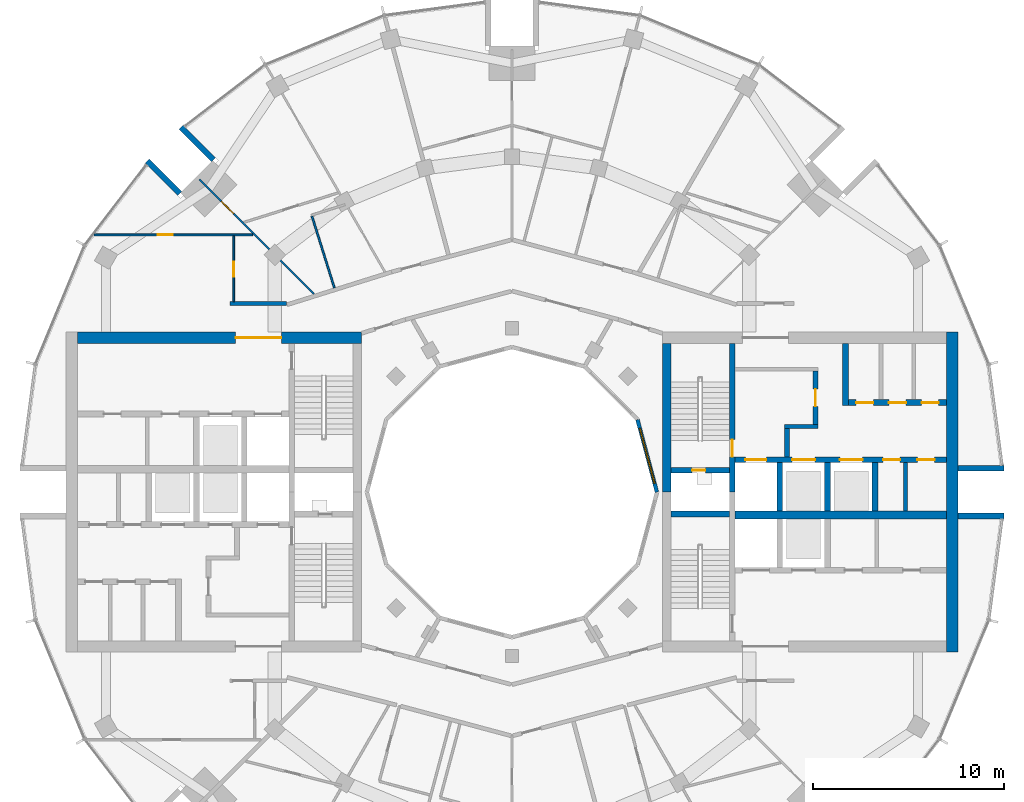
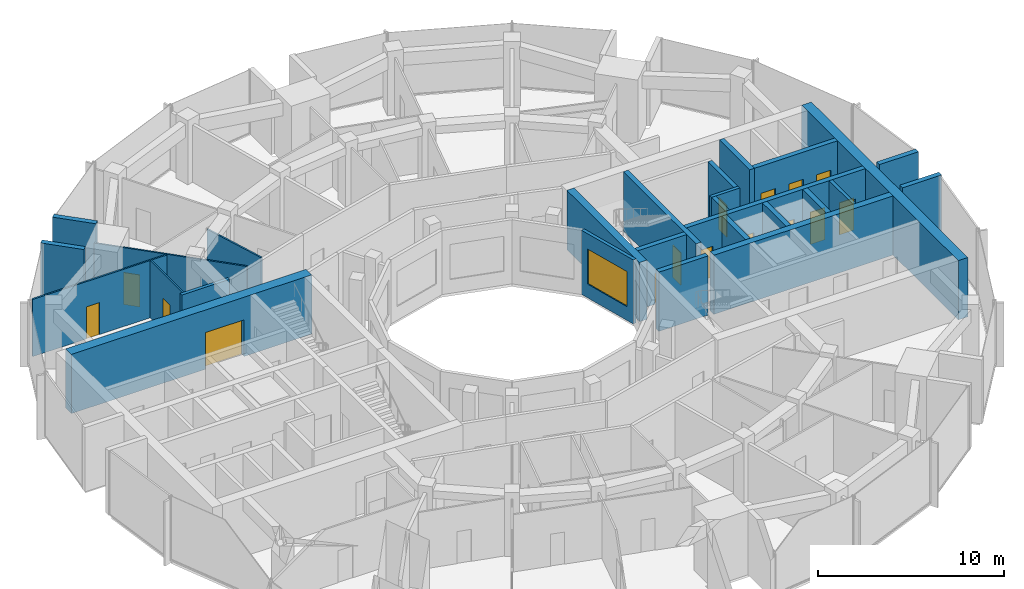
# One storey, part 11 of 15: 27 walls, 15 doors, 1 window, 16 openings.
"""IFC4 building model written with IfcOpenShell, lengths in metres."""

from ifc_helpers import new_model, si_unit, direction, frame, frame_2d, origin, place, context, subcontext, project, spatial, rectangle, extrude, material, layer, layer_set, type_object, element, fill, save


model = new_model("IFC4")

# Units and contexts
model_context = context("Model", 3, precision=1e-05, world=origin(), true_north=direction((0.0, 1.0)))
body_context = subcontext(model_context, "Body", "Model", "MODEL_VIEW")
ifc_project = project(units=[si_unit("LENGTHUNIT", "METRE"), si_unit("AREAUNIT", "SQUARE_METRE"), si_unit("VOLUMEUNIT", "CUBIC_METRE"), si_unit("PLANEANGLEUNIT", "RADIAN"), si_unit("MASSUNIT", "GRAM", prefix="KILO")], contexts=[model_context])

# Site, building, storey
site_placement = place(None, origin())
site = spatial("IfcSite", under=ifc_project, at=site_placement, CompositionType="ELEMENT")
building_placement = place(site_placement, origin())
building = spatial("IfcBuilding", under=site, at=building_placement, Name="Torre Brocal", CompositionType="ELEMENT")
storey_placement = place(building_placement, frame((0.0, 0.0, 249.89990234375)))
storey = spatial("IfcBuildingStorey", under=building, at=storey_placement, Name="L57", CompositionType="ELEMENT", Elevation=249.89990234375)

# Walls
ifc_material_1 = material(Name="Masonry block", Category="masonry")
ifc_layer_1 = layer(ifc_material_1, 0.199951171875)
ifc_layer_set_1 = layer_set([ifc_layer_1], Name="Masonry block")
wall_type_1 = type_object("IfcWallType", Name="CORE PARTITION 200", PredefinedType="PARTITIONING", material=ifc_layer_set_1)
wall_1_placement = place(storey_placement, frame((100.639892578125, 74.0, 0.0), z_axis=(0.0, 0.0, 1.0), x_axis=(0.0, 1.0, 0.0)))
element("IfcWall", 1, at=wall_1_placement, inside=storey, type_object=wall_type_1, Name="Wall CP200", PredefinedType="PARTITIONING", context=body_context, shape_type="SweptSolid", body=[
    extrude(rectangle(XDim=2.550048828125, YDim=0.199951171875, at=frame_2d((1.27490234375, 0.0))), origin(), (0.0, 0.0, 1.0), 3.880126953125),
])
ifc_material_2 = material(Name="Concrete C60", Category="concrete")
ifc_layer_2 = layer(ifc_material_2, 0.199951171875)
ifc_layer_set_2 = layer_set([ifc_layer_2], Name="Concrete C60")
wall_type_2 = type_object("IfcWallType", Name="CORE WALL 200 C60", PredefinedType="SHEAR", material=ifc_layer_set_2)
wall_2_placement = place(storey_placement, frame((94.300048828125, 78.449951171875, 0.0), z_axis=(0.0, 0.0, 1.0), x_axis=(1.0, 0.0, 0.0)))
element("IfcWall", 2, at=wall_2_placement, inside=storey, type_object=wall_type_2, Name="Wall CW200-60", PredefinedType="SHEAR", context=body_context, shape_type="SweptSolid", body=[
    extrude(rectangle(XDim=1.75, YDim=0.199951171875, at=frame_2d((0.875, 0.0))), origin(), (0.0, 0.0, 1.0), 3.880126953125),
])

# Wall, opening, door
ifc_material_3 = material(Name="Concrete C60", Category="concrete")
ifc_layer_3 = layer(ifc_material_3, 0.25)
ifc_layer_set_3 = layer_set([ifc_layer_3], Name="Concrete C60")
wall_type_3 = type_object("IfcWallType", Name="CORE WALL 250 C60", PredefinedType="SHEAR", material=ifc_layer_set_3)
wall_3_placement = place(storey_placement, frame((95.925048828125, 78.550048828125, 0.0), z_axis=(0.0, 0.0, 1.0), x_axis=(0.0, 1.0, 0.0)))
wall_3 = element("IfcWall", 3, at=wall_3_placement, inside=storey, type_object=wall_type_3, Name="Wall CW250-60", PredefinedType="SHEAR", context=body_context, shape_type="SweptSolid", body=[
    extrude(rectangle(XDim=2.800048828125, YDim=0.25, at=frame_2d((1.39990234375, 0.0))), origin(), (0.0, 0.0, 1.0), 3.880126953125),
])
opening_1_placement = place(wall_3_placement, frame((0.949951171875, 0.0, 0.0)))
opening_1 = element("IfcOpeningElement", 4, at=opening_1_placement, cuts=wall_3, Name="Opening E-D08", PredefinedType="OPENING", context=body_context, shape_type="SweptSolid", body=[
    extrude(rectangle(XDim=0.89990234375, YDim=2.10009765625, at=frame_2d((0.449951171875, 1.050048828125))), frame((0.0, 0.135009765625, 0.0), z_axis=(0.0, -1.0, 0.0), x_axis=(1.0, 0.0, 0.0)), (0.0, 0.0, 1.0), 0.27001953125),
])
ifc_material_4 = material(Name="Steel A653", Category="steel")
door_type_1 = type_object("IfcDoorType", Name="LOBBY DOOR FD120 900X2100", OperationType="SINGLE_SWING_RIGHT", PredefinedType="DOOR", material=ifc_material_4)
door_1_placement = place(opening_1_placement, origin())
door_1 = element("IfcDoor", 5, at=door_1_placement, inside=storey, type_object=door_type_1, Name="Door E-D08", OperationType="SINGLE_SWING_LEFT", OverallHeight=2.10009765625, OverallWidth=0.89990234375, PredefinedType="DOOR", context=body_context, shape_type="SweptSolid", body=[
    extrude(rectangle(XDim=0.89990234375, YDim=2.10009765625, at=frame_2d((0.449951171875, 1.050048828125))), frame((0.0, 0.02490234375, 0.0), z_axis=(0.0, -1.0, 0.0), x_axis=(1.0, 0.0, 0.0)), (0.0, 0.0, 1.0), 0.050048828125),
])
fill(opening_1, door_1)

# Wall
wall_4_placement = place(storey_placement, frame((94.425048828125, 76.85009765625, 0.0), z_axis=(0.0, 0.0, 1.0), x_axis=(0.0, 1.0, 0.0)))
element("IfcWall", 6, at=wall_4_placement, inside=storey, type_object=wall_type_3, Name="Wall CW250-60", PredefinedType="SHEAR", context=body_context, shape_type="SweptSolid", body=[
    extrude(rectangle(XDim=1.5, YDim=0.25, at=frame_2d((0.75, 0.0))), origin(), (0.0, 0.0, 1.0), 3.880126953125),
])

# Wall, opening, door
ifc_material_5 = material(Name="Concrete C60", Category="concrete")
ifc_layer_4 = layer(ifc_material_5, 0.300048828125)
ifc_layer_set_4 = layer_set([ifc_layer_4], Name="Concrete C60")
wall_type_4 = type_object("IfcWallType", Name="CORE WALL 300 C60", PredefinedType="SHEAR", material=ifc_layer_set_4)
wall_5_placement = place(storey_placement, frame((91.550048828125, 75.0, 0.0), z_axis=(0.0, 0.0, 1.0), x_axis=(0.0, 1.0, 0.0)))
wall_5 = element("IfcWall", 7, at=wall_5_placement, inside=storey, type_object=wall_type_4, Name="Wall CW300-60", PredefinedType="SHEAR", context=body_context, shape_type="SweptSolid", body=[
    extrude(rectangle(XDim=7.800048828125, YDim=0.300048828125, at=frame_2d((3.89990234375, 0.0))), origin(), (0.0, 0.0, 1.0), 3.880126953125),
])
opening_2_placement = place(wall_5_placement, frame((1.85009765625, 0.0, 0.0)))
opening_2 = element("IfcOpeningElement", 8, at=opening_2_placement, cuts=wall_5, Name="Opening E-D02", PredefinedType="OPENING", context=body_context, shape_type="SweptSolid", body=[
    extrude(rectangle(XDim=0.89990234375, YDim=2.10009765625, at=frame_2d((0.449951171875, 1.050048828125))), frame((0.0, 0.159912109375, 0.0), z_axis=(0.0, -1.0, 0.0), x_axis=(1.0, 0.0, 0.0)), (0.0, 0.0, 1.0), 0.320068359375),
])
ifc_material_6 = material(Name="Steel A653", Category="steel")
door_type_2 = type_object("IfcDoorType", Name="STAIR DOOR FD120 900X2100", OperationType="SINGLE_SWING_RIGHT", PredefinedType="DOOR", material=ifc_material_6)
door_2_placement = place(opening_2_placement, origin())
door_2 = element("IfcDoor", 9, at=door_2_placement, inside=storey, type_object=door_type_2, Name="Door E-D02", OperationType="SINGLE_SWING_LEFT", OverallHeight=2.10009765625, OverallWidth=0.89990234375, PredefinedType="DOOR", context=body_context, shape_type="SweptSolid", body=[
    extrude(rectangle(XDim=0.89990234375, YDim=2.10009765625, at=frame_2d((0.449951171875, 1.050048828125))), frame((0.0, 0.02490234375, 0.0), z_axis=(0.0, -1.0, 0.0), x_axis=(1.0, 0.0, 0.0)), (0.0, 0.0, 1.0), 0.050048828125),
])
fill(opening_2, door_2)

wall_6_placement = place(storey_placement, frame((88.35009765625, 76.14990234375, 0.0), z_axis=(0.0, 0.0, 1.0), x_axis=(1.0, 0.0, 0.0)))
wall_6 = element("IfcWall", 10, at=wall_6_placement, inside=storey, type_object=wall_type_4, Name="Wall CW300-60", PredefinedType="SHEAR", context=body_context, shape_type="SweptSolid", body=[
    extrude(rectangle(XDim=3.0498046875, YDim=0.300048828125, at=frame_2d((1.52490234375, 0.0))), origin(), (0.0, 0.0, 1.0), 3.880126953125),
])
opening_3_placement = place(wall_6_placement, frame((1.10009765625, 0.0, 0.0)))
opening_3 = element("IfcOpeningElement", 11, at=opening_3_placement, cuts=wall_6, Name="Opening E-D01", PredefinedType="OPENING", context=body_context, shape_type="SweptSolid", body=[
    extrude(rectangle(XDim=0.699951171875, YDim=2.0, at=frame_2d((0.35009765625, 1.0))), frame((0.0, 0.159912109375, 0.0), z_axis=(0.0, -1.0, 0.0), x_axis=(1.0, 0.0, 0.0)), (0.0, 0.0, 1.0), 0.320068359375),
])
ifc_material_7 = material(Name="Steel A653", Category="steel")
door_type_3 = type_object("IfcDoorType", Name="RISER DOOR FD120 700X2000", OperationType="SINGLE_SWING_LEFT", PredefinedType="DOOR", material=ifc_material_7)
door_3_placement = place(opening_3_placement, frame((0.699951171875, 0.0, 0.0), z_axis=(0.0, 0.0, 1.0), x_axis=(-1.0, 0.0, 0.0)))
door_3 = element("IfcDoor", 12, at=door_3_placement, inside=storey, type_object=door_type_3, Name="Door E-D01", OperationType="SINGLE_SWING_RIGHT", OverallHeight=2.0, OverallWidth=0.699951171875, PredefinedType="DOOR", context=body_context, shape_type="SweptSolid", body=[
    extrude(rectangle(XDim=0.699951171875, YDim=2.0, at=frame_2d((0.35009765625, 1.0))), frame((0.0, 0.02490234375, 0.0), z_axis=(0.0, -1.0, 0.0), x_axis=(1.0, 0.0, 0.0)), (0.0, 0.0, 1.0), 0.050048828125),
])
fill(opening_3, door_3)

# Wall
wall_7_placement = place(storey_placement, frame((88.35009765625, 73.85009765625, 0.0), z_axis=(0.0, 0.0, 1.0), x_axis=(1.0, 0.0, 0.0)))
element("IfcWall", 13, at=wall_7_placement, inside=storey, type_object=wall_type_4, Name="Wall CW300-60", PredefinedType="SHEAR", context=body_context, shape_type="SweptSolid", body=[
    extrude(rectangle(XDim=3.0498046875, YDim=0.300048828125, at=frame_2d((1.52490234375, 0.0))), origin(), (0.0, 0.0, 1.0), 3.880126953125),
])

# Wall, openings, doors
wall_8_placement = place(storey_placement, frame((91.699951171875, 76.699951171875, 0.0), z_axis=(0.0, 0.0, 1.0), x_axis=(1.0, 0.0, 0.0)))
wall_8 = element("IfcWall", 14, at=wall_8_placement, inside=storey, type_object=wall_type_4, Name="Wall CW300-60", PredefinedType="SHEAR", context=body_context, shape_type="SweptSolid", body=[
    extrude(rectangle(XDim=11.10009765625, YDim=0.300048828125, at=frame_2d((5.550048828125, 0.0))), origin(), (0.0, 0.0, 1.0), 3.880126953125),
])
opening_4_placement = place(wall_8_placement, frame((0.550048828125, 0.0, 0.0)))
opening_4 = element("IfcOpeningElement", 15, at=opening_4_placement, cuts=wall_8, Name="Opening LD", PredefinedType="OPENING", context=body_context, shape_type="SweptSolid", body=[
    extrude(rectangle(XDim=1.10009765625, YDim=2.10009765625, at=frame_2d((0.550048828125, 1.050048828125))), frame((0.0, 0.159912109375, 0.0), z_axis=(0.0, -1.0, 0.0), x_axis=(1.0, 0.0, 0.0)), (0.0, 0.0, 1.0), 0.320068359375),
])
opening_5_placement = place(wall_8_placement, frame((3.0, 0.0, 0.0)))
opening_5 = element("IfcOpeningElement", 16, at=opening_5_placement, cuts=wall_8, Name="Opening LD12", PredefinedType="OPENING", context=body_context, shape_type="SweptSolid", body=[
    extrude(rectangle(XDim=1.199951171875, YDim=2.10009765625, at=frame_2d((0.60009765625, 1.050048828125))), frame((0.0, 0.159912109375, 0.0), z_axis=(0.0, -1.0, 0.0), x_axis=(1.0, 0.0, 0.0)), (0.0, 0.0, 1.0), 0.320068359375),
])
opening_6_placement = place(wall_8_placement, frame((5.5, 0.0, 0.0)))
opening_6 = element("IfcOpeningElement", 17, at=opening_6_placement, cuts=wall_8, Name="Opening LD12", PredefinedType="OPENING", context=body_context, shape_type="SweptSolid", body=[
    extrude(rectangle(XDim=1.199951171875, YDim=2.10009765625, at=frame_2d((0.60009765625, 1.050048828125))), frame((0.0, 0.159912109375, 0.0), z_axis=(0.0, -1.0, 0.0), x_axis=(1.0, 0.0, 0.0)), (0.0, 0.0, 1.0), 0.320068359375),
])
opening_7_placement = place(wall_8_placement, frame((7.77001953125, 0.0, 0.0)))
opening_7 = element("IfcOpeningElement", 18, at=opening_7_placement, cuts=wall_8, Name="Opening E-D04", PredefinedType="OPENING", context=body_context, shape_type="SweptSolid", body=[
    extrude(rectangle(XDim=0.89990234375, YDim=2.10009765625, at=frame_2d((0.449951171875, 1.050048828125))), frame((0.0, 0.159912109375, 0.0), z_axis=(0.0, -1.0, 0.0), x_axis=(1.0, 0.0, 0.0)), (0.0, 0.0, 1.0), 0.320068359375),
])
opening_8_placement = place(wall_8_placement, frame((9.570068359375, 0.0, 0.0)))
opening_8 = element("IfcOpeningElement", 19, at=opening_8_placement, cuts=wall_8, Name="Opening E-D05", PredefinedType="OPENING", context=body_context, shape_type="SweptSolid", body=[
    extrude(rectangle(XDim=0.89990234375, YDim=2.10009765625, at=frame_2d((0.449951171875, 1.050048828125))), frame((0.0, 0.159912109375, 0.0), z_axis=(0.0, -1.0, 0.0), x_axis=(1.0, 0.0, 0.0)), (0.0, 0.0, 1.0), 0.320068359375),
])
ifc_material_8 = material(Name="Stainless steel AISI 316", Category="steel")
door_type_4 = type_object("IfcDoorType", Name="LIFT LANDING DOOR 1100X2100", OperationType="DOUBLE_DOOR_SLIDING", PredefinedType="DOOR", material=ifc_material_8)
door_4_placement = place(opening_4_placement, origin())
door_4 = element("IfcDoor", 20, at=door_4_placement, inside=storey, type_object=door_type_4, Name="Door LD", OperationType="DOUBLE_DOOR_SLIDING", OverallHeight=2.10009765625, OverallWidth=1.10009765625, PredefinedType="DOOR", context=body_context, shape_type="SweptSolid", body=[
    extrude(rectangle(XDim=1.10009765625, YDim=2.10009765625, at=frame_2d((0.550048828125, 1.050048828125))), frame((0.0, 0.02490234375, 0.0), z_axis=(0.0, -1.0, 0.0), x_axis=(1.0, 0.0, 0.0)), (0.0, 0.0, 1.0), 0.050048828125),
])
fill(opening_4, door_4)
ifc_material_9 = material(Name="Stainless steel AISI 316", Category="steel")
door_type_5 = type_object("IfcDoorType", Name="LIFT LANDING DOOR 1200X2100", OperationType="DOUBLE_DOOR_SLIDING", PredefinedType="DOOR", material=ifc_material_9)
door_5_placement = place(opening_5_placement, origin())
door_5 = element("IfcDoor", 21, at=door_5_placement, inside=storey, type_object=door_type_5, Name="Door LD12", OperationType="DOUBLE_DOOR_SLIDING", OverallHeight=2.10009765625, OverallWidth=1.199951171875, PredefinedType="DOOR", context=body_context, shape_type="SweptSolid", body=[
    extrude(rectangle(XDim=1.199951171875, YDim=2.10009765625, at=frame_2d((0.60009765625, 1.050048828125))), frame((0.0, 0.02490234375, 0.0), z_axis=(0.0, -1.0, 0.0), x_axis=(1.0, 0.0, 0.0)), (0.0, 0.0, 1.0), 0.050048828125),
])
fill(opening_5, door_5)
door_6_placement = place(opening_6_placement, origin())
door_6 = element("IfcDoor", 22, at=door_6_placement, inside=storey, type_object=door_type_5, Name="Door LD12", OperationType="DOUBLE_DOOR_SLIDING", OverallHeight=2.10009765625, OverallWidth=1.199951171875, PredefinedType="DOOR", context=body_context, shape_type="SweptSolid", body=[
    extrude(rectangle(XDim=1.199951171875, YDim=2.10009765625, at=frame_2d((0.60009765625, 1.050048828125))), frame((0.0, 0.02490234375, 0.0), z_axis=(0.0, -1.0, 0.0), x_axis=(1.0, 0.0, 0.0)), (0.0, 0.0, 1.0), 0.050048828125),
])
fill(opening_6, door_6)
ifc_material_10 = material(Name="Steel A653", Category="steel")
door_type_6 = type_object("IfcDoorType", Name="ROOM DOOR FD30S 900X2100", OperationType="SINGLE_SWING_LEFT", PredefinedType="DOOR", material=ifc_material_10)
door_7_placement = place(opening_7_placement, frame((0.89990234375, 0.0, 0.0), z_axis=(0.0, 0.0, 1.0), x_axis=(-1.0, 0.0, 0.0)))
door_7 = element("IfcDoor", 23, at=door_7_placement, inside=storey, type_object=door_type_6, Name="Door E-D04", OperationType="SINGLE_SWING_LEFT", OverallHeight=2.10009765625, OverallWidth=0.89990234375, PredefinedType="DOOR", context=body_context, shape_type="SweptSolid", body=[
    extrude(rectangle(XDim=0.89990234375, YDim=2.10009765625, at=frame_2d((0.449951171875, 1.050048828125))), frame((0.0, 0.02490234375, 0.0), z_axis=(0.0, -1.0, 0.0), x_axis=(1.0, 0.0, 0.0)), (0.0, 0.0, 1.0), 0.050048828125),
])
fill(opening_7, door_7)
door_8_placement = place(opening_8_placement, frame((0.89990234375, 0.0, 0.0), z_axis=(0.0, 0.0, 1.0), x_axis=(-1.0, 0.0, 0.0)))
door_8 = element("IfcDoor", 24, at=door_8_placement, inside=storey, type_object=door_type_6, Name="Door E-D05", OperationType="SINGLE_SWING_RIGHT", OverallHeight=2.10009765625, OverallWidth=0.89990234375, PredefinedType="DOOR", context=body_context, shape_type="SweptSolid", body=[
    extrude(rectangle(XDim=0.89990234375, YDim=2.10009765625, at=frame_2d((0.449951171875, 1.050048828125))), frame((0.0, 0.02490234375, 0.0), z_axis=(0.0, -1.0, 0.0), x_axis=(1.0, 0.0, 0.0)), (0.0, 0.0, 1.0), 0.050048828125),
])
fill(opening_8, door_8)

# Walls
for number, where, z_axis, x_axis, name in (
    (25, (94.050048828125, 74.0, 0.0), (0.0, 0.0, 1.0), (0.0, 1.0, 0.0), "Wall CW300-60"),
    (26, (96.550048828125, 74.0, 0.0), (0.0, 0.0, 1.0), (0.0, 1.0, 0.0), "Wall CW300-60"),
    (27, (99.050048828125, 74.0, 0.0), (0.0, 0.0, 1.0), (0.0, 1.0, 0.0), "Wall CW300-60"),
):
    element("IfcWall", number, at=place(storey_placement, frame(where, z_axis=z_axis, x_axis=x_axis)), inside=storey, type_object=wall_type_4, Name=name, PredefinedType="SHEAR", context=body_context, shape_type="SweptSolid", body=[
        extrude(rectangle(XDim=2.550048828125, YDim=0.300048828125, at=frame_2d((1.27490234375, 0.0))), origin(), (0.0, 0.0, 1.0), 3.880126953125),
    ])
wall_9_placement = place(storey_placement, frame((97.5, 79.550048828125, 0.0), z_axis=(0.0, 0.0, 1.0), x_axis=(0.0, 1.0, 0.0)))
element("IfcWall", 28, at=wall_9_placement, inside=storey, type_object=wall_type_4, Name="Wall CW300-60", PredefinedType="SHEAR", context=body_context, shape_type="SweptSolid", body=[
    extrude(rectangle(XDim=3.25, YDim=0.300048828125, at=frame_2d((1.625, 0.0))), origin(), (0.0, 0.0, 1.0), 3.880126953125),
])

# Wall, openings, doors
wall_10_placement = place(storey_placement, frame((97.64990234375, 79.699951171875, 0.0), z_axis=(0.0, 0.0, 1.0), x_axis=(1.0, 0.0, 0.0)))
wall_10 = element("IfcWall", 29, at=wall_10_placement, inside=storey, type_object=wall_type_4, Name="Wall CW300-60", PredefinedType="SHEAR", context=body_context, shape_type="SweptSolid", body=[
    extrude(rectangle(XDim=5.150146484375, YDim=0.300048828125, at=frame_2d((2.5751953125, 0.0))), origin(), (0.0, 0.0, 1.0), 3.880126953125),
])
opening_9_placement = place(wall_10_placement, frame((0.408203125, 0.0, 0.0)))
opening_9 = element("IfcOpeningElement", 30, at=opening_9_placement, cuts=wall_10, Name="Opening E-D09", PredefinedType="OPENING", context=body_context, shape_type="SweptSolid", body=[
    extrude(rectangle(XDim=0.89990234375, YDim=2.10009765625, at=frame_2d((0.449951171875, 1.050048828125))), frame((0.0, 0.159912109375, 0.0), z_axis=(0.0, -1.0, 0.0), x_axis=(1.0, 0.0, 0.0)), (0.0, 0.0, 1.0), 0.320068359375),
])
opening_10_placement = place(wall_10_placement, frame((2.125, 0.0, 0.0)))
opening_10 = element("IfcOpeningElement", 31, at=opening_10_placement, cuts=wall_10, Name="Opening E-D10", PredefinedType="OPENING", context=body_context, shape_type="SweptSolid", body=[
    extrude(rectangle(XDim=0.89990234375, YDim=2.10009765625, at=frame_2d((0.449951171875, 1.050048828125))), frame((0.0, 0.159912109375, 0.0), z_axis=(0.0, -1.0, 0.0), x_axis=(1.0, 0.0, 0.0)), (0.0, 0.0, 1.0), 0.320068359375),
])
opening_11_placement = place(wall_10_placement, frame((3.841796875, 0.0, 0.0)))
opening_11 = element("IfcOpeningElement", 32, at=opening_11_placement, cuts=wall_10, Name="Opening E-D11", PredefinedType="OPENING", context=body_context, shape_type="SweptSolid", body=[
    extrude(rectangle(XDim=0.89990234375, YDim=2.10009765625, at=frame_2d((0.449951171875, 1.050048828125))), frame((0.0, 0.159912109375, 0.0), z_axis=(0.0, -1.0, 0.0), x_axis=(1.0, 0.0, 0.0)), (0.0, 0.0, 1.0), 0.320068359375),
])
door_9_placement = place(opening_9_placement, origin())
door_9 = element("IfcDoor", 33, at=door_9_placement, inside=storey, type_object=door_type_6, Name="Door E-D09", OperationType="SINGLE_SWING_RIGHT", OverallHeight=2.10009765625, OverallWidth=0.89990234375, PredefinedType="DOOR", context=body_context, shape_type="SweptSolid", body=[
    extrude(rectangle(XDim=0.89990234375, YDim=2.10009765625, at=frame_2d((0.449951171875, 1.050048828125))), frame((0.0, 0.02490234375, 0.0), z_axis=(0.0, -1.0, 0.0), x_axis=(1.0, 0.0, 0.0)), (0.0, 0.0, 1.0), 0.050048828125),
])
fill(opening_9, door_9)
door_10_placement = place(opening_10_placement, origin())
door_10 = element("IfcDoor", 34, at=door_10_placement, inside=storey, type_object=door_type_6, Name="Door E-D10", OperationType="SINGLE_SWING_RIGHT", OverallHeight=2.10009765625, OverallWidth=0.89990234375, PredefinedType="DOOR", context=body_context, shape_type="SweptSolid", body=[
    extrude(rectangle(XDim=0.89990234375, YDim=2.10009765625, at=frame_2d((0.449951171875, 1.050048828125))), frame((0.0, 0.02490234375, 0.0), z_axis=(0.0, -1.0, 0.0), x_axis=(1.0, 0.0, 0.0)), (0.0, 0.0, 1.0), 0.050048828125),
])
fill(opening_10, door_10)
door_11_placement = place(opening_11_placement, origin())
door_11 = element("IfcDoor", 35, at=door_11_placement, inside=storey, type_object=door_type_6, Name="Door E-D11", OperationType="SINGLE_SWING_LEFT", OverallHeight=2.10009765625, OverallWidth=0.89990234375, PredefinedType="DOOR", context=body_context, shape_type="SweptSolid", body=[
    extrude(rectangle(XDim=0.89990234375, YDim=2.10009765625, at=frame_2d((0.449951171875, 1.050048828125))), frame((0.0, 0.02490234375, 0.0), z_axis=(0.0, -1.0, 0.0), x_axis=(1.0, 0.0, 0.0)), (0.0, 0.0, 1.0), 0.050048828125),
])
fill(opening_11, door_11)

# Walls
ifc_material_11 = material(Name="Concrete C60", Category="concrete")
ifc_layer_5 = layer(ifc_material_11, 0.39990234375)
ifc_layer_set_5 = layer_set([ifc_layer_5], Name="Concrete C60")
wall_type_5 = type_object("IfcWallType", Name="CORE WALL 400 C60", PredefinedType="SHEAR", material=ifc_layer_set_5)
wall_11_placement = place(storey_placement, frame((91.699951171875, 73.800048828125, 0.0), z_axis=(0.0, 0.0, 1.0), x_axis=(1.0, 0.0, 0.0)))
element("IfcWall", 36, at=wall_11_placement, inside=storey, type_object=wall_type_5, Name="Wall CW400-60", PredefinedType="SHEAR", context=body_context, shape_type="SweptSolid", body=[
    extrude(rectangle(XDim=11.10009765625, YDim=0.39990234375, at=frame_2d((5.550048828125, 0.0))), origin(), (0.0, 0.0, 1.0), 3.880126953125),
])
ifc_material_12 = material(Name="Concrete C60", Category="concrete")
ifc_layer_6 = layer(ifc_material_12, 0.449951171875)
ifc_layer_set_6 = layer_set([ifc_layer_6], Name="Concrete C60")
wall_type_6 = type_object("IfcWallType", Name="CORE WALL 450 C60", PredefinedType="SHEAR", material=ifc_layer_set_6)
wall_12_placement = place(storey_placement, frame((88.125, 75.0, 0.0), z_axis=(0.0, 0.0, 1.0), x_axis=(0.0, 1.0, 0.0)))
element("IfcWall", 37, at=wall_12_placement, inside=storey, type_object=wall_type_6, Name="Wall CW450-60", PredefinedType="SHEAR", context=body_context, shape_type="SweptSolid", body=[
    extrude(rectangle(XDim=7.800048828125, YDim=0.449951171875, at=frame_2d((3.89990234375, 0.0))), origin(), (0.0, 0.0, 1.0), 3.880126953125),
])
ifc_material_13 = material(Name="Concrete C60", Category="concrete")
ifc_layer_7 = layer(ifc_material_13, 0.60009765625)
ifc_layer_set_7 = layer_set([ifc_layer_7], Name="Concrete C60")
wall_type_7 = type_object("IfcWallType", Name="CORE WALL 600 C60", PredefinedType="SHEAR", material=ifc_layer_set_7)
wall_13_placement = place(storey_placement, frame((103.10009765625, 66.60009765625, 0.0), z_axis=(0.0, 0.0, 1.0), x_axis=(0.0, 1.0, 0.0)))
element("IfcWall", 38, at=wall_13_placement, inside=storey, type_object=wall_type_7, Name="Wall CW600-60", PredefinedType="SHEAR", context=body_context, shape_type="SweptSolid", body=[
    extrude(rectangle(XDim=16.7998046875, YDim=0.60009765625, at=frame_2d((8.39990234375, 0.0))), origin(), (0.0, 0.0, 1.0), 3.880126953125),
])

# Wall, opening, door
wall_14_placement = place(storey_placement, frame((72.10009765625, 83.10009765625, 0.0), z_axis=(0.0, 0.0, 1.0), x_axis=(-1.0, 0.0, 0.0)))
wall_14 = element("IfcWall", 39, at=wall_14_placement, inside=storey, type_object=wall_type_7, Name="Wall CW600-60", PredefinedType="SHEAR", context=body_context, shape_type="SweptSolid", body=[
    extrude(rectangle(XDim=14.900146484375, YDim=0.60009765625, at=frame_2d((7.4501953125, 0.0))), origin(), (0.0, 0.0, 1.0), 3.880126953125),
])
opening_12_placement = place(wall_14_placement, frame((4.199951171875, 0.0, 0.0)))
opening_12 = element("IfcOpeningElement", 40, at=opening_12_placement, cuts=wall_14, Name="Opening W-D13", PredefinedType="OPENING", context=body_context, shape_type="SweptSolid", body=[
    extrude(rectangle(XDim=2.39990234375, YDim=2.39990234375, at=frame_2d((1.199951171875, 1.199951171875))), frame((0.0, 0.31005859375, 0.0), z_axis=(0.0, -1.0, 0.0), x_axis=(1.0, 0.0, 0.0)), (0.0, 0.0, 1.0), 0.6201171875),
])
ifc_material_14 = material(Name="Steel A653", Category="steel")
door_type_7 = type_object("IfcDoorType", Name="DOUBLE FIRE DOOR FD90 2400X2400", OperationType="DOUBLE_DOOR_SINGLE_SWING", PredefinedType="DOOR", material=ifc_material_14)
door_12_placement = place(opening_12_placement, origin())
door_12 = element("IfcDoor", 41, at=door_12_placement, inside=storey, type_object=door_type_7, Name="Door W-D13", OperationType="DOUBLE_DOOR_SINGLE_SWING", OverallHeight=2.39990234375, OverallWidth=2.39990234375, PredefinedType="DOOR", context=body_context, shape_type="SweptSolid", body=[
    extrude(rectangle(XDim=2.39990234375, YDim=2.39990234375, at=frame_2d((1.199951171875, 1.199951171875))), frame((0.0, 0.02490234375, 0.0), z_axis=(0.0, -1.0, 0.0), x_axis=(1.0, 0.0, 0.0)), (0.0, 0.0, 1.0), 0.050048828125),
])
fill(opening_12, door_12)

# Walls
ifc_material_15 = material(Name="Concrete C60", Category="concrete")
ifc_layer_8 = layer(ifc_material_15, 0.300048828125)
ifc_layer_set_8 = layer_set([ifc_layer_8], Name="Concrete C60")
wall_type_8 = type_object("IfcWallType", Name="NOTCH RETURN WALL 300 C60", PredefinedType="NOTDEFINED", material=ifc_layer_set_8)
for number, where, z_axis, x_axis, name in (
    (42, (103.39990234375, 73.75, 0.0), (0.0, 0.0, 1.0), (1.0, 0.0, 0.0), "NOTCH RETURN WALL"),
    (43, (103.39990234375, 76.25, 0.0), (0.0, 0.0, 1.0), (1.0, 0.0, 0.0), "NOTCH RETURN WALL"),
    (44, (64.337646484375, 92.43017578125, 0.0), (0.0, 0.0, 1.0), (-0.707106781187, 0.707106781187, 0.0), "NOTCH RETURN WALL"),
    (45, (62.56982421875, 90.662353515625, 0.0), (0.0, 0.0, 1.0), (-0.707106781187, 0.707106781187, 0.0), "NOTCH RETURN WALL"),
):
    element("IfcWall", number, at=place(storey_placement, frame(where, z_axis=z_axis, x_axis=x_axis)), inside=storey, type_object=wall_type_8, Name=name, PredefinedType="NOTDEFINED", context=body_context, shape_type="SweptSolid", body=[
        extrude(rectangle(XDim=2.415771484375, YDim=0.300048828125, at=frame_2d((1.2080078125, 0.0))), origin(), (0.0, 0.0, 1.0), 4.2001953125),
    ])

# Wall, opening, door
ifc_material_16 = material(Name="Gypsum board", Category="Gypsum")
ifc_layer_9 = layer(ifc_material_16, 0.10009765625)
ifc_layer_set_9 = layer_set([ifc_layer_9], Name="Gypsum board")
wall_type_9 = type_object("IfcWallType", Name="PARTITION 100", PredefinedType="PARTITIONING", material=ifc_layer_set_9)
wall_15_placement = place(storey_placement, frame((58.072021484375, 88.5, 0.0), z_axis=(0.0, 0.0, 1.0), x_axis=(1.0, 0.0, 0.0)))
wall_15 = element("IfcWall", 46, at=wall_15_placement, inside=storey, type_object=wall_type_9, Name="BATHROOM WALL", PredefinedType="PARTITIONING", context=body_context, shape_type="SweptSolid", body=[
    extrude(rectangle(XDim=8.31884765625, YDim=0.10009765625, at=frame_2d((4.159423828125, 0.0))), origin(), (0.0, 0.0, 1.0), 3.75),
])
opening_13_placement = place(wall_15_placement, frame((3.3291015625, 0.0, 0.0)))
opening_13 = element("IfcOpeningElement", 47, at=opening_13_placement, cuts=wall_15, Name="Opening B04-D17", PredefinedType="OPENING", context=body_context, shape_type="SweptSolid", body=[
    extrude(rectangle(XDim=0.800048828125, YDim=2.10009765625, at=frame_2d((0.39990234375, 1.050048828125))), frame((0.0, 0.06005859375, 0.0), z_axis=(0.0, -1.0, 0.0), x_axis=(1.0, 0.0, 0.0)), (0.0, 0.0, 1.0), 0.1201171875),
])
ifc_material_17 = material(Name="Timber", Category="wood")
door_type_8 = type_object("IfcDoorType", Name="BATHROOM DOOR 800X2100", OperationType="SINGLE_SWING_LEFT", PredefinedType="DOOR", material=ifc_material_17)
door_13_placement = place(opening_13_placement, origin())
door_13 = element("IfcDoor", 48, at=door_13_placement, inside=storey, type_object=door_type_8, Name="B04-D17", OperationType="SINGLE_SWING_LEFT", OverallHeight=2.10009765625, OverallWidth=0.800048828125, PredefinedType="DOOR", context=body_context, shape_type="SweptSolid", body=[
    extrude(rectangle(XDim=0.800048828125, YDim=2.10009765625, at=frame_2d((0.39990234375, 1.050048828125))), frame((0.0, 0.02490234375, 0.0), z_axis=(0.0, -1.0, 0.0), x_axis=(1.0, 0.0, 0.0)), (0.0, 0.0, 1.0), 0.050048828125),
])
fill(opening_13, door_13)

wall_16_placement = place(storey_placement, frame((63.597412109375, 91.406982421875, 0.0), z_axis=(0.0, 0.0, 1.0), x_axis=(0.70700623685, -0.707207311228, 0.0)))
wall_16 = element("IfcWall", 49, at=wall_16_placement, inside=storey, type_object=wall_type_9, Name="BATHROOM WALL", PredefinedType="PARTITIONING", context=body_context, shape_type="SweptSolid", body=[
    extrude(rectangle(XDim=8.499267578125, YDim=0.10009765625, at=frame_2d((4.24951171875, 0.0))), origin(), (0.0, 0.0, 1.0), 3.75),
])
opening_14_placement = place(wall_16_placement, frame((1.6318359375, 0.0, 0.0)))
opening_14 = element("IfcOpeningElement", 50, at=opening_14_placement, cuts=wall_16, Name="Opening B04-D15", PredefinedType="OPENING", context=body_context, shape_type="SweptSolid", body=[
    extrude(rectangle(XDim=0.89990234375, YDim=2.10009765625, at=frame_2d((0.449951171875, 1.050048828125))), frame((0.0, 0.06005859375, 0.0), z_axis=(0.0, -1.0, 0.0), x_axis=(1.0, 0.0, 0.0)), (0.0, 0.0, 1.0), 0.1201171875),
])
ifc_material_18 = material(Name="Timber", Category="wood")
door_type_9 = type_object("IfcDoorType", Name="ROOM DOOR 900X2100", OperationType="SINGLE_SWING_LEFT", PredefinedType="DOOR", material=ifc_material_18)
door_14_placement = place(opening_14_placement, frame((0.89990234375, 0.0, 0.0), z_axis=(0.0, 0.0, 1.0), x_axis=(-1.0, 0.0, 0.0)))
door_14 = element("IfcDoor", 51, at=door_14_placement, inside=storey, type_object=door_type_9, Name="B04-D15", OperationType="SINGLE_SWING_LEFT", OverallHeight=2.10009765625, OverallWidth=0.89990234375, PredefinedType="DOOR", context=body_context, shape_type="SweptSolid", body=[
    extrude(rectangle(XDim=0.89990234375, YDim=2.10009765625, at=frame_2d((0.449951171875, 1.050048828125))), frame((0.0, 0.02490234375, 0.0), z_axis=(0.0, -1.0, 0.0), x_axis=(1.0, 0.0, 0.0)), (0.0, 0.0, 1.0), 0.050048828125),
])
fill(opening_14, door_14)

wall_17_placement = place(storey_placement, frame((65.39990234375, 85.0, 0.0), z_axis=(0.0, 0.0, 1.0), x_axis=(0.0, 1.0, 0.0)))
wall_17 = element("IfcWall", 52, at=wall_17_placement, inside=storey, type_object=wall_type_9, Name="BATHROOM WALL", PredefinedType="PARTITIONING", context=body_context, shape_type="SweptSolid", body=[
    extrude(rectangle(XDim=3.449951171875, YDim=0.10009765625, at=frame_2d((1.72509765625, 0.0))), origin(), (0.0, 0.0, 1.0), 3.75),
])
opening_15_placement = place(wall_17_placement, frame((1.300048828125, 0.0, 0.0)))
opening_15 = element("IfcOpeningElement", 53, at=opening_15_placement, cuts=wall_17, Name="Opening B04-D16", PredefinedType="OPENING", context=body_context, shape_type="SweptSolid", body=[
    extrude(rectangle(XDim=0.800048828125, YDim=2.10009765625, at=frame_2d((0.39990234375, 1.050048828125))), frame((0.0, 0.06005859375, 0.0), z_axis=(0.0, -1.0, 0.0), x_axis=(1.0, 0.0, 0.0)), (0.0, 0.0, 1.0), 0.1201171875),
])
door_15_placement = place(opening_15_placement, frame((0.800048828125, 0.0, 0.0), z_axis=(0.0, 0.0, 1.0), x_axis=(-1.0, 0.0, 0.0)))
door_15 = element("IfcDoor", 54, at=door_15_placement, inside=storey, type_object=door_type_8, Name="B04-D16", OperationType="SINGLE_SWING_RIGHT", OverallHeight=2.10009765625, OverallWidth=0.800048828125, PredefinedType="DOOR", context=body_context, shape_type="SweptSolid", body=[
    extrude(rectangle(XDim=0.800048828125, YDim=2.10009765625, at=frame_2d((0.39990234375, 1.050048828125))), frame((0.0, 0.02490234375, 0.0), z_axis=(0.0, -1.0, 0.0), x_axis=(1.0, 0.0, 0.0)), (0.0, 0.0, 1.0), 0.050048828125),
])
fill(opening_15, door_15)

# Walls
wall_18_placement = place(storey_placement, frame((69.5009765625, 89.486328125, 0.0), z_axis=(0.0, 0.0, 1.0), x_axis=(0.298971609069, -0.954262006459, 0.0)))
element("IfcWall", 55, at=wall_18_placement, inside=storey, type_object=wall_type_9, Name="BATHROOM WALL", PredefinedType="PARTITIONING", context=body_context, shape_type="SweptSolid", body=[
    extrude(rectangle(XDim=3.95068359375, YDim=0.10009765625, at=frame_2d((1.975341796875, 0.0))), origin(), (0.0, 0.0, 1.0), 3.75),
])
ifc_material_19 = material(Name="Gypsum board", Category="Gypsum")
ifc_layer_10 = layer(ifc_material_19, 0.199951171875)
ifc_layer_set_10 = layer_set([ifc_layer_10], Name="Gypsum board")
wall_type_10 = type_object("IfcWallType", Name="PARTITION 200 EI60", PredefinedType="PARTITIONING", material=ifc_layer_set_10)
wall_19_placement = place(storey_placement, frame((65.199951171875, 84.89990234375, 0.0), z_axis=(0.0, 0.0, 1.0), x_axis=(1.0, 0.0, 0.0)))
element("IfcWall", 56, at=wall_19_placement, inside=storey, type_object=wall_type_10, Name="GUESTROOM CORRIDOR WALL", PredefinedType="PARTITIONING", context=body_context, shape_type="SweptSolid", body=[
    extrude(rectangle(XDim=2.969970703125, YDim=0.199951171875, at=frame_2d((1.48486328125, 0.0))), origin(), (0.0, 0.0, 1.0), 3.75),
])

# Wall, opening, window
ifc_material_20 = material(Name="Concrete C40", Category="concrete")
ifc_layer_11 = layer(ifc_material_20, 0.199951171875)
ifc_layer_set_11 = layer_set([ifc_layer_11], Name="Concrete C40")
wall_type_11 = type_object("IfcWallType", Name="WELL FACADE WALL 200", PredefinedType="NOTDEFINED", material=ifc_layer_set_11)
wall_20_placement = place(storey_placement, frame((87.603515625, 75.0, 0.0), z_axis=(0.0, 0.0, 1.0), x_axis=(-0.258789828301, 0.965933654434, 0.0)))
wall_20 = element("IfcWall", 57, at=wall_20_placement, inside=storey, type_object=wall_type_11, Name="WELL FACADE WALL", PredefinedType="NOTDEFINED", context=body_context, shape_type="SweptSolid", body=[
    extrude(rectangle(XDim=3.935791015625, YDim=0.199951171875, at=frame_2d((1.9677734375, 0.0))), origin(), (0.0, 0.0, 1.0), 4.2001953125),
])
opening_16_placement = place(wall_20_placement, frame((0.468017578125, 0.0, 0.89990234375)))
opening_16 = element("IfcOpeningElement", 58, at=opening_16_placement, cuts=wall_20, Name="Opening W1", PredefinedType="OPENING", context=body_context, shape_type="SweptSolid", body=[
    extrude(rectangle(XDim=3.0, YDim=2.300048828125, at=frame_2d((1.5, 1.14990234375))), frame((0.0, 0.10986328125, 0.0), z_axis=(0.0, -1.0, 0.0), x_axis=(1.0, 0.0, 0.0)), (0.0, 0.0, 1.0), 0.219970703125),
])
ifc_material_21 = material(Name="Aluminium and glass", Category="aluminium")
window_type = type_object("IfcWindowType", Name="WELL WINDOW 3000X2300", PartitioningType="SINGLE_PANEL", PredefinedType="WINDOW", material=ifc_material_21)
window_placement = place(opening_16_placement, origin())
window = element("IfcWindow", 59, at=window_placement, inside=storey, type_object=window_type, Name="WELL WINDOW 3000X2300", OverallHeight=2.300048828125, OverallWidth=3.0, PartitioningType="SINGLE_PANEL", PredefinedType="WINDOW", context=body_context, shape_type="SweptSolid", body=[
    extrude(rectangle(XDim=3.0, YDim=2.300048828125, at=frame_2d((1.5, 1.14990234375))), frame((0.0, 0.030029296875, 0.0), z_axis=(0.0, -1.0, 0.0), x_axis=(1.0, 0.0, 0.0)), (0.0, 0.0, 1.0), 0.06005859375),
])
fill(opening_16, window)

save(model, "model.ifc")
